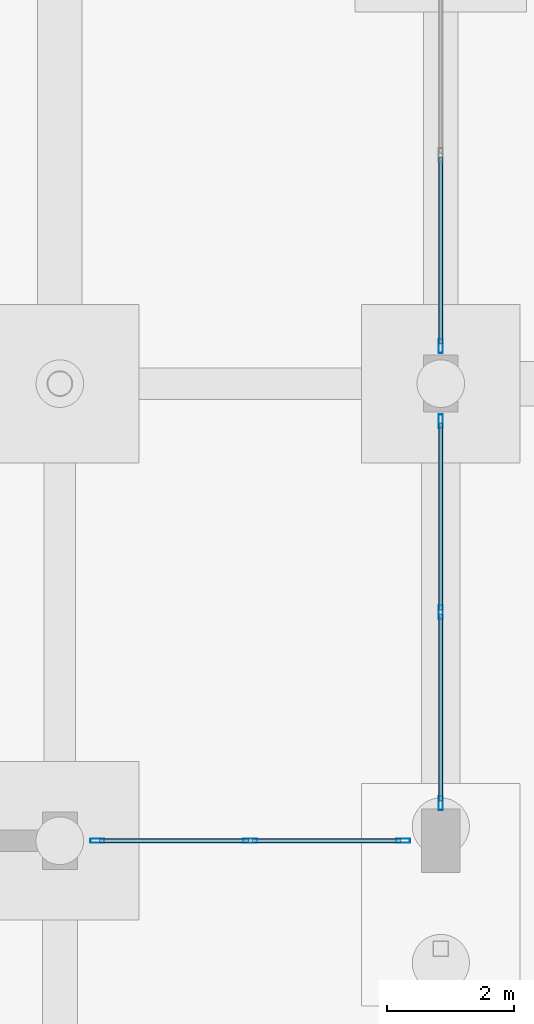
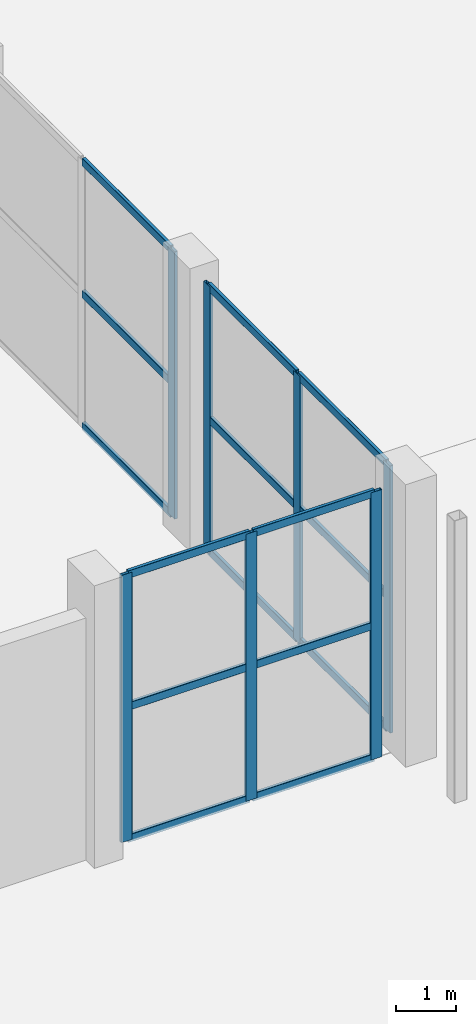
# One storey, part 48 of 103: 22 members, 3 elements without a shape of their own.
"""IFC4 building model written with IfcOpenShell, lengths in metres."""

from ifc_helpers import new_model, si_unit, direction, frame, origin, origin_2d, place, context, subcontext, project, spatial, hollow_rectangle, extrude, material, layer, layer_set, material_profile, profile_set, type_object, element, aggregate, save


model = new_model("IFC4")

# Units and contexts
model_context = context("Model", 3, precision=1e-05, world=origin(), true_north=direction((0.0, 1.0)))
body_context = subcontext(model_context, "Body", "Model", "MODEL_VIEW")
ifc_project = project(units=[si_unit("LENGTHUNIT", "METRE"), si_unit("AREAUNIT", "SQUARE_METRE"), si_unit("VOLUMEUNIT", "CUBIC_METRE"), si_unit("PLANEANGLEUNIT", "RADIAN"), si_unit("MASSUNIT", "GRAM", prefix="KILO")], contexts=[model_context])

# Site, building, storey
site_placement = place(None, origin())
site = spatial("IfcSite", under=ifc_project, at=site_placement, CompositionType="ELEMENT")
building_placement = place(site_placement, origin())
building = spatial("IfcBuilding", under=site, at=building_placement, Name="Dunvalen Ferry Terminal", CompositionType="ELEMENT")
storey_placement = place(building_placement, origin())
storey = spatial("IfcBuildingStorey", under=building, at=storey_placement, Name="L00", CompositionType="ELEMENT", Elevation=0.0)

# Curtain wall, members
ifc_material_1 = material(Name="Anodised marine aluminium and solar-control glazing", Category="aluminium")
ifc_layer_1 = layer(ifc_material_1, 0.219970703125, Name="Anodised marine aluminium and solar-control glazing")
ifc_layer_set_1 = layer_set([ifc_layer_1], Name="Anodised marine aluminium and solar-control glazing")
curtain_wall_type_1 = type_object("IfcCurtainWallType", Name="ENV-CW-SYS-01", PredefinedType="NOTDEFINED", material=ifc_layer_set_1)
curtain_wall_1_placement = place(storey_placement, origin())
curtain_wall_1 = element("IfcCurtainWall", 1, at=curtain_wall_1_placement, inside=storey, type_object=curtain_wall_type_1, Name="L00 Curtain Wall CW-V1S-L00-10", PredefinedType="NOTDEFINED")
ifc_material_2 = material(Name="Anodised marine aluminium EN AW-6063 T6", Category="aluminium")
ifc_material_profile_1 = material_profile(ifc_material_2, hollow_rectangle(XDim=0.06494140625, YDim=0.219970703125, WallThickness=0.00390625, InnerFilletRadius=0.00390625, OuterFilletRadius=0.008056640625, at=origin_2d()), Name="Anodised marine aluminium EN AW-6063 T6")
ifc_profile_set_1 = profile_set([ifc_material_profile_1], Name="Anodised marine aluminium EN AW-6063 T6")
member_type_1 = type_object("IfcMemberType", Name="ENV-CW-MUL-1", PredefinedType="MULLION", material=ifc_profile_set_1)
member_1_placement = place(storey_placement, frame((90.592529296875, 50.39990234375, 0.0), z_axis=(0.0, 0.0, 1.0), x_axis=(0.0, 1.0, 0.0)))
member_1 = element("IfcMember", 2, at=member_1_placement, type_object=member_type_1, Name="CW-01 mullion 1", PredefinedType="MULLION", context=body_context, shape_type="SweptSolid", body=[
    extrude(hollow_rectangle(XDim=0.06494140625, YDim=0.219970703125, WallThickness=0.00390625, InnerFilletRadius=0.00390625, OuterFilletRadius=0.008056640625, at=origin_2d()), origin(), (0.0, 0.0, 1.0), 5.449951171875),
])
member_2_placement = place(storey_placement, frame((93.0, 50.39990234375, 0.0), z_axis=(0.0, 0.0, 1.0), x_axis=(0.0, 1.0, 0.0)))
member_2 = element("IfcMember", 3, at=member_2_placement, type_object=member_type_1, Name="CW-01 mullion 2", PredefinedType="MULLION", context=body_context, shape_type="SweptSolid", body=[
    extrude(hollow_rectangle(XDim=0.06494140625, YDim=0.219970703125, WallThickness=0.00390625, InnerFilletRadius=0.00390625, OuterFilletRadius=0.008056640625, at=origin_2d()), origin(), (0.0, 0.0, 1.0), 5.449951171875),
])
member_3_placement = place(storey_placement, frame((95.407470703125, 50.39990234375, 0.0), z_axis=(0.0, 0.0, 1.0), x_axis=(0.0, 1.0, 0.0)))
member_3 = element("IfcMember", 4, at=member_3_placement, type_object=member_type_1, Name="CW-01 mullion 3", PredefinedType="MULLION", context=body_context, shape_type="SweptSolid", body=[
    extrude(hollow_rectangle(XDim=0.06494140625, YDim=0.219970703125, WallThickness=0.00390625, InnerFilletRadius=0.00390625, OuterFilletRadius=0.008056640625, at=origin_2d()), origin(), (0.0, 0.0, 1.0), 5.449951171875),
])

ifc_layer_2 = layer(ifc_material_1, 0.219970703125, Name="Anodised marine aluminium and solar-control glazing")
ifc_layer_set_2 = layer_set([ifc_layer_2], Name="Anodised marine aluminium and solar-control glazing")
curtain_wall_type_2 = type_object("IfcCurtainWallType", Name="ENV-CW-SYS-03", PredefinedType="NOTDEFINED", material=ifc_layer_set_2)
curtain_wall_2_placement = place(storey_placement, origin())
curtain_wall_2 = element("IfcCurtainWall", 5, at=curtain_wall_2_placement, inside=storey, type_object=curtain_wall_type_2, Name="L00 Curtain Wall CW-V1E-L00-01", PredefinedType="NOTDEFINED")
member_4_placement = place(storey_placement, frame((96.0, 50.992431640625, 0.0), z_axis=(0.0, 0.0, 1.0), x_axis=(-1.0, 0.0, 0.0)))
member_4 = element("IfcMember", 6, at=member_4_placement, type_object=member_type_1, Name="CW-03 mullion 1", PredefinedType="MULLION", context=body_context, shape_type="SweptSolid", body=[
    extrude(hollow_rectangle(XDim=0.06494140625, YDim=0.219970703125, WallThickness=0.00390625, InnerFilletRadius=0.00390625, OuterFilletRadius=0.008056640625, at=origin_2d()), origin(), (0.0, 0.0, 1.0), 5.449951171875),
])
member_5_placement = place(storey_placement, frame((96.0, 54.0, 0.0), z_axis=(0.0, 0.0, 1.0), x_axis=(-1.0, 0.0, 0.0)))
member_5 = element("IfcMember", 7, at=member_5_placement, type_object=member_type_1, Name="CW-03 mullion 2", PredefinedType="MULLION", context=body_context, shape_type="SweptSolid", body=[
    extrude(hollow_rectangle(XDim=0.06494140625, YDim=0.219970703125, WallThickness=0.00390625, InnerFilletRadius=0.00390625, OuterFilletRadius=0.008056640625, at=origin_2d()), origin(), (0.0, 0.0, 1.0), 5.449951171875),
])
member_6_placement = place(storey_placement, frame((96.0, 57.007568359375, 0.0), z_axis=(0.0, 0.0, 1.0), x_axis=(-1.0, 0.0, 0.0)))
member_6 = element("IfcMember", 8, at=member_6_placement, type_object=member_type_1, Name="CW-03 mullion 3", PredefinedType="MULLION", context=body_context, shape_type="SweptSolid", body=[
    extrude(hollow_rectangle(XDim=0.06494140625, YDim=0.219970703125, WallThickness=0.00390625, InnerFilletRadius=0.00390625, OuterFilletRadius=0.008056640625, at=origin_2d()), origin(), (0.0, 0.0, 1.0), 5.449951171875),
])

# Curtain wall, member
curtain_wall_3_placement = place(storey_placement, origin())
curtain_wall_3 = element("IfcCurtainWall", 9, at=curtain_wall_3_placement, inside=storey, type_object=curtain_wall_type_2, Name="L00 Curtain Wall CW-V1E-L00-02", PredefinedType="NOTDEFINED")
member_7_placement = place(storey_placement, frame((96.0, 58.1923828125, 0.0), z_axis=(0.0, 0.0, 1.0), x_axis=(-1.0, 0.0, 0.0)))
member_7 = element("IfcMember", 10, at=member_7_placement, type_object=member_type_1, Name="CW-03 mullion 1", PredefinedType="MULLION", context=body_context, shape_type="SweptSolid", body=[
    extrude(hollow_rectangle(XDim=0.06494140625, YDim=0.219970703125, WallThickness=0.00390625, InnerFilletRadius=0.00390625, OuterFilletRadius=0.008056640625, at=origin_2d()), origin(), (0.0, 0.0, 1.0), 5.449951171875),
])

# Member
ifc_material_profile_2 = material_profile(ifc_material_2, hollow_rectangle(XDim=0.06494140625, YDim=0.159912109375, WallThickness=0.00341796875, InnerFilletRadius=0.00341796875, OuterFilletRadius=0.007080078125, at=origin_2d()), Name="Anodised marine aluminium EN AW-6063 T6")
ifc_profile_set_2 = profile_set([ifc_material_profile_2], Name="Anodised marine aluminium EN AW-6063 T6")
member_type_2 = type_object("IfcMemberType", Name="ENV-CW-TRN-1", PredefinedType="USERDEFINED", material=ifc_profile_set_2)
member_8_placement = place(storey_placement, frame((90.625, 50.39990234375, 0.032470703125), z_axis=(1.0, 0.0, 0.0), x_axis=(0.0, 1.0, 0.0)))
member_8 = element("IfcMember", 11, at=member_8_placement, type_object=member_type_2, Name="CW-01 transom 1.1", ObjectType="TRANSOM", PredefinedType="USERDEFINED", context=body_context, shape_type="SweptSolid", body=[
    extrude(hollow_rectangle(XDim=0.06494140625, YDim=0.159912109375, WallThickness=0.00341796875, InnerFilletRadius=0.00341796875, OuterFilletRadius=0.007080078125, at=origin_2d()), origin(), (0.0, 0.0, 1.0), 2.342529296875),
])

member_9_placement = place(storey_placement, frame((90.625, 50.39990234375, 2.72509765625), z_axis=(1.0, 0.0, 0.0), x_axis=(0.0, 1.0, 0.0)))
member_9 = element("IfcMember", 12, at=member_9_placement, type_object=member_type_2, Name="CW-01 transom 1.2", ObjectType="TRANSOM", PredefinedType="USERDEFINED", context=body_context, shape_type="SweptSolid", body=[
    extrude(hollow_rectangle(XDim=0.06494140625, YDim=0.159912109375, WallThickness=0.00341796875, InnerFilletRadius=0.00341796875, OuterFilletRadius=0.007080078125, at=origin_2d()), origin(), (0.0, 0.0, 1.0), 2.342529296875),
])

member_10_placement = place(storey_placement, frame((90.625, 50.39990234375, 5.41748046875), z_axis=(1.0, 0.0, 0.0), x_axis=(0.0, 1.0, 0.0)))
member_10 = element("IfcMember", 13, at=member_10_placement, type_object=member_type_2, Name="CW-01 transom 1.3", ObjectType="TRANSOM", PredefinedType="USERDEFINED", context=body_context, shape_type="SweptSolid", body=[
    extrude(hollow_rectangle(XDim=0.06494140625, YDim=0.159912109375, WallThickness=0.00341796875, InnerFilletRadius=0.00341796875, OuterFilletRadius=0.007080078125, at=origin_2d()), origin(), (0.0, 0.0, 1.0), 2.342529296875),
])

member_11_placement = place(storey_placement, frame((93.032470703125, 50.39990234375, 0.032470703125), z_axis=(1.0, 0.0, 0.0), x_axis=(0.0, 1.0, 0.0)))
member_11 = element("IfcMember", 14, at=member_11_placement, type_object=member_type_2, Name="CW-01 transom 2.1", ObjectType="TRANSOM", PredefinedType="USERDEFINED", context=body_context, shape_type="SweptSolid", body=[
    extrude(hollow_rectangle(XDim=0.06494140625, YDim=0.159912109375, WallThickness=0.00341796875, InnerFilletRadius=0.00341796875, OuterFilletRadius=0.007080078125, at=origin_2d()), origin(), (0.0, 0.0, 1.0), 2.342529296875),
])

member_12_placement = place(storey_placement, frame((93.032470703125, 50.39990234375, 2.72509765625), z_axis=(1.0, 0.0, 0.0), x_axis=(0.0, 1.0, 0.0)))
member_12 = element("IfcMember", 15, at=member_12_placement, type_object=member_type_2, Name="CW-01 transom 2.2", ObjectType="TRANSOM", PredefinedType="USERDEFINED", context=body_context, shape_type="SweptSolid", body=[
    extrude(hollow_rectangle(XDim=0.06494140625, YDim=0.159912109375, WallThickness=0.00341796875, InnerFilletRadius=0.00341796875, OuterFilletRadius=0.007080078125, at=origin_2d()), origin(), (0.0, 0.0, 1.0), 2.342529296875),
])

member_13_placement = place(storey_placement, frame((93.032470703125, 50.39990234375, 5.41748046875), z_axis=(1.0, 0.0, 0.0), x_axis=(0.0, 1.0, 0.0)))
member_13 = element("IfcMember", 16, at=member_13_placement, type_object=member_type_2, Name="CW-01 transom 2.3", ObjectType="TRANSOM", PredefinedType="USERDEFINED", context=body_context, shape_type="SweptSolid", body=[
    extrude(hollow_rectangle(XDim=0.06494140625, YDim=0.159912109375, WallThickness=0.00341796875, InnerFilletRadius=0.00341796875, OuterFilletRadius=0.007080078125, at=origin_2d()), origin(), (0.0, 0.0, 1.0), 2.342529296875),
])

aggregate(curtain_wall_1, [member_1, member_2, member_3, member_8, member_9, member_10, member_11, member_12, member_13])

member_14_placement = place(storey_placement, frame((96.0, 51.02490234375, 0.032470703125), z_axis=(0.0, 1.0, 0.0), x_axis=(-1.0, 0.0, 0.0)))
member_14 = element("IfcMember", 17, at=member_14_placement, type_object=member_type_2, Name="CW-03 transom 1.1", ObjectType="TRANSOM", PredefinedType="USERDEFINED", context=body_context, shape_type="SweptSolid", body=[
    extrude(hollow_rectangle(XDim=0.06494140625, YDim=0.159912109375, WallThickness=0.00341796875, InnerFilletRadius=0.00341796875, OuterFilletRadius=0.007080078125, at=origin_2d()), origin(), (0.0, 0.0, 1.0), 2.942626953125),
])

member_15_placement = place(storey_placement, frame((96.0, 51.02490234375, 2.72509765625), z_axis=(0.0, 1.0, 0.0), x_axis=(-1.0, 0.0, 0.0)))
member_15 = element("IfcMember", 18, at=member_15_placement, type_object=member_type_2, Name="CW-03 transom 1.2", ObjectType="TRANSOM", PredefinedType="USERDEFINED", context=body_context, shape_type="SweptSolid", body=[
    extrude(hollow_rectangle(XDim=0.06494140625, YDim=0.159912109375, WallThickness=0.00341796875, InnerFilletRadius=0.00341796875, OuterFilletRadius=0.007080078125, at=origin_2d()), origin(), (0.0, 0.0, 1.0), 2.942626953125),
])

member_16_placement = place(storey_placement, frame((96.0, 51.02490234375, 5.41748046875), z_axis=(0.0, 1.0, 0.0), x_axis=(-1.0, 0.0, 0.0)))
member_16 = element("IfcMember", 19, at=member_16_placement, type_object=member_type_2, Name="CW-03 transom 1.3", ObjectType="TRANSOM", PredefinedType="USERDEFINED", context=body_context, shape_type="SweptSolid", body=[
    extrude(hollow_rectangle(XDim=0.06494140625, YDim=0.159912109375, WallThickness=0.00341796875, InnerFilletRadius=0.00341796875, OuterFilletRadius=0.007080078125, at=origin_2d()), origin(), (0.0, 0.0, 1.0), 2.942626953125),
])

member_17_placement = place(storey_placement, frame((96.0, 54.032470703125, 0.032470703125), z_axis=(0.0, 1.0, 0.0), x_axis=(-1.0, 0.0, 0.0)))
member_17 = element("IfcMember", 20, at=member_17_placement, type_object=member_type_2, Name="CW-03 transom 2.1", ObjectType="TRANSOM", PredefinedType="USERDEFINED", context=body_context, shape_type="SweptSolid", body=[
    extrude(hollow_rectangle(XDim=0.06494140625, YDim=0.159912109375, WallThickness=0.00341796875, InnerFilletRadius=0.00341796875, OuterFilletRadius=0.007080078125, at=origin_2d()), origin(), (0.0, 0.0, 1.0), 2.942626953125),
])

member_18_placement = place(storey_placement, frame((96.0, 54.032470703125, 2.72509765625), z_axis=(0.0, 1.0, 0.0), x_axis=(-1.0, 0.0, 0.0)))
member_18 = element("IfcMember", 21, at=member_18_placement, type_object=member_type_2, Name="CW-03 transom 2.2", ObjectType="TRANSOM", PredefinedType="USERDEFINED", context=body_context, shape_type="SweptSolid", body=[
    extrude(hollow_rectangle(XDim=0.06494140625, YDim=0.159912109375, WallThickness=0.00341796875, InnerFilletRadius=0.00341796875, OuterFilletRadius=0.007080078125, at=origin_2d()), origin(), (0.0, 0.0, 1.0), 2.942626953125),
])

member_19_placement = place(storey_placement, frame((96.0, 54.032470703125, 5.41748046875), z_axis=(0.0, 1.0, 0.0), x_axis=(-1.0, 0.0, 0.0)))
member_19 = element("IfcMember", 22, at=member_19_placement, type_object=member_type_2, Name="CW-03 transom 2.3", ObjectType="TRANSOM", PredefinedType="USERDEFINED", context=body_context, shape_type="SweptSolid", body=[
    extrude(hollow_rectangle(XDim=0.06494140625, YDim=0.159912109375, WallThickness=0.00341796875, InnerFilletRadius=0.00341796875, OuterFilletRadius=0.007080078125, at=origin_2d()), origin(), (0.0, 0.0, 1.0), 2.942626953125),
])

aggregate(curtain_wall_2, [member_4, member_5, member_6, member_14, member_15, member_16, member_17, member_18, member_19])

member_20_placement = place(storey_placement, frame((96.0, 58.22509765625, 0.032470703125), z_axis=(0.0, 1.0, 0.0), x_axis=(-1.0, 0.0, 0.0)))
member_20 = element("IfcMember", 23, at=member_20_placement, type_object=member_type_2, Name="CW-03 transom 1.1", ObjectType="TRANSOM", PredefinedType="USERDEFINED", context=body_context, shape_type="SweptSolid", body=[
    extrude(hollow_rectangle(XDim=0.06494140625, YDim=0.159912109375, WallThickness=0.00341796875, InnerFilletRadius=0.00341796875, OuterFilletRadius=0.007080078125, at=origin_2d()), origin(), (0.0, 0.0, 1.0), 2.9423828125),
])

member_21_placement = place(storey_placement, frame((96.0, 58.22509765625, 2.72509765625), z_axis=(0.0, 1.0, 0.0), x_axis=(-1.0, 0.0, 0.0)))
member_21 = element("IfcMember", 24, at=member_21_placement, type_object=member_type_2, Name="CW-03 transom 1.2", ObjectType="TRANSOM", PredefinedType="USERDEFINED", context=body_context, shape_type="SweptSolid", body=[
    extrude(hollow_rectangle(XDim=0.06494140625, YDim=0.159912109375, WallThickness=0.00341796875, InnerFilletRadius=0.00341796875, OuterFilletRadius=0.007080078125, at=origin_2d()), origin(), (0.0, 0.0, 1.0), 2.9423828125),
])

member_22_placement = place(storey_placement, frame((96.0, 58.22509765625, 5.41748046875), z_axis=(0.0, 1.0, 0.0), x_axis=(-1.0, 0.0, 0.0)))
member_22 = element("IfcMember", 25, at=member_22_placement, type_object=member_type_2, Name="CW-03 transom 1.3", ObjectType="TRANSOM", PredefinedType="USERDEFINED", context=body_context, shape_type="SweptSolid", body=[
    extrude(hollow_rectangle(XDim=0.06494140625, YDim=0.159912109375, WallThickness=0.00341796875, InnerFilletRadius=0.00341796875, OuterFilletRadius=0.007080078125, at=origin_2d()), origin(), (0.0, 0.0, 1.0), 2.9423828125),
])

aggregate(curtain_wall_3, [member_7, member_20, member_21, member_22])

save(model, "model.ifc")
